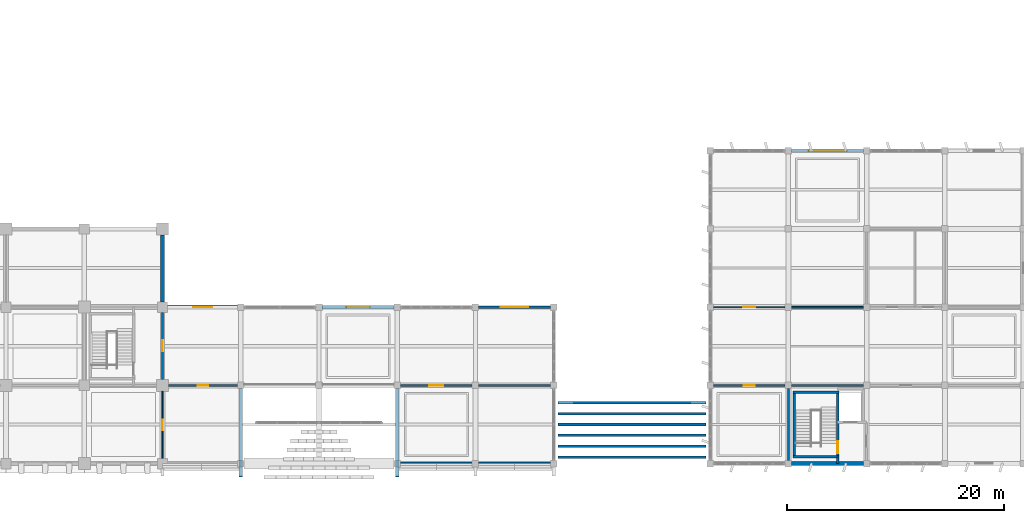
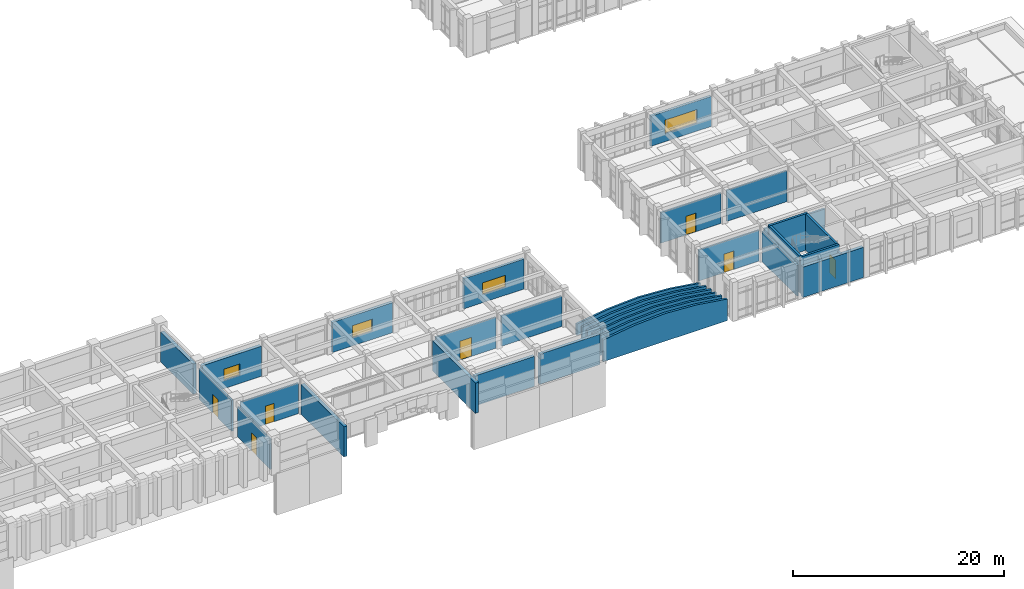
# One storey, part 62 of 81: 31 walls, 7 doors, 4 windows, 11 openings.
"""IFC4 building model written with IfcOpenShell, lengths in metres."""

from ifc_helpers import new_model, si_unit, direction, frame, frame_2d, origin, place, context, subcontext, project, spatial, polyline, rectangle, outline, extrude, material, layer, layer_set, type_object, element, fill, save


model = new_model("IFC4")

# Units and contexts
model_context = context("Model", 3, precision=1e-05, world=origin(), true_north=direction((0.0, 1.0)))
body_context = subcontext(model_context, "Body", "Model", "MODEL_VIEW")
ifc_project = project(units=[si_unit("LENGTHUNIT", "METRE"), si_unit("AREAUNIT", "SQUARE_METRE"), si_unit("VOLUMEUNIT", "CUBIC_METRE"), si_unit("PLANEANGLEUNIT", "RADIAN"), si_unit("MASSUNIT", "GRAM", prefix="KILO")], contexts=[model_context])

# Site, building, storey
site_placement = place(None, origin())
site = spatial("IfcSite", under=ifc_project, at=site_placement, CompositionType="ELEMENT")
building_placement = place(site_placement, origin())
building = spatial("IfcBuilding", under=site, at=building_placement, Name="Kavelor Marine Aquarium", CompositionType="ELEMENT")
storey_placement = place(building_placement, frame((0.0, 0.0, 4.679931640625)))
storey = spatial("IfcBuildingStorey", under=building, at=storey_placement, Name="L01", CompositionType="ELEMENT", Elevation=4.679931640625)

# Walls
ifc_material_1 = material(Name="Concrete C45/55", Category="concrete")
ifc_layer_1 = layer(ifc_material_1, 0.25)
ifc_layer_set_1 = layer_set([ifc_layer_1], Name="WL-BD1")
wall_type_1 = type_object("IfcWallType", Name="WL-BD1", PredefinedType="PARAPET", material=ifc_layer_set_1)
wall_1_placement = place(storey_placement, frame((104.39990234375, 3.39990234375, -0.300048828125), z_axis=(0.0, 0.0, 1.0), x_axis=(1.0, 0.0, 0.0)))
element("IfcWall", 1, at=wall_1_placement, inside=storey, type_object=wall_type_1, Name="portal:arch:south:1", PredefinedType="PARAPET", context=body_context, shape_type="SweptSolid", body=[
    extrude(outline(polyline([(0.0, 0.0), (13.60009765625, 0.0), (13.60009765625, 2.5), (10.199951171875, 3.0), (6.800048828125, 3.2001953125), (3.39990234375, 3.0), (0.0, 2.5), (0.0, 0.0)])), frame((0.0, 0.125, 0.0), z_axis=(0.0, -1.0, 0.0), x_axis=(1.0, 0.0, 0.0)), (0.0, 0.0, 1.0), 0.25),
])
wall_2_placement = place(storey_placement, frame((104.39990234375, 6.39990234375, -0.300048828125), z_axis=(0.0, 0.0, 1.0), x_axis=(1.0, 0.0, 0.0)))
element("IfcWall", 2, at=wall_2_placement, inside=storey, type_object=wall_type_1, Name="portal:arch:south:4", PredefinedType="PARAPET", context=body_context, shape_type="SweptSolid", body=[
    extrude(outline(polyline([(0.0, 0.0), (13.60009765625, 0.0), (13.60009765625, 1.780029296875), (10.199951171875, 2.280029296875), (6.800048828125, 2.480224609375), (3.39990234375, 2.280029296875), (0.0, 1.780029296875), (0.0, 0.0)])), frame((0.0, 0.125, 0.0), z_axis=(0.0, -1.0, 0.0), x_axis=(1.0, 0.0, 0.0)), (0.0, 0.0, 1.0), 0.25),
])
ifc_material_2 = material(Name="Concrete C45/55", Category="concrete")
ifc_layer_2 = layer(ifc_material_2, 0.22998046875)
ifc_layer_set_2 = layer_set([ifc_layer_2], Name="WL-BD2")
wall_type_2 = type_object("IfcWallType", Name="WL-BD2", PredefinedType="PARAPET", material=ifc_layer_set_2)
wall_3_placement = place(storey_placement, frame((104.39990234375, 4.39990234375, -0.300048828125), z_axis=(0.0, 0.0, 1.0), x_axis=(1.0, 0.0, 0.0)))
element("IfcWall", 3, at=wall_3_placement, inside=storey, type_object=wall_type_2, Name="portal:arch:south:2", PredefinedType="PARAPET", context=body_context, shape_type="SweptSolid", body=[
    extrude(outline(polyline([(0.0, 0.0), (13.60009765625, 0.0), (13.60009765625, 2.260009765625), (10.199951171875, 2.760009765625), (6.800048828125, 2.960205078125), (3.39990234375, 2.760009765625), (0.0, 2.260009765625), (0.0, 0.0)])), frame((0.0, 0.114990234375, 0.0), z_axis=(0.0, -1.0, 0.0), x_axis=(1.0, 0.0, 0.0)), (0.0, 0.0, 1.0), 0.22998046875),
])
wall_4_placement = place(storey_placement, frame((104.39990234375, 7.39990234375, -0.300048828125), z_axis=(0.0, 0.0, 1.0), x_axis=(1.0, 0.0, 0.0)))
element("IfcWall", 4, at=wall_4_placement, inside=storey, type_object=wall_type_2, Name="portal:arch:south:5", PredefinedType="PARAPET", context=body_context, shape_type="SweptSolid", body=[
    extrude(outline(polyline([(0.0, 0.0), (13.60009765625, 0.0), (13.60009765625, 1.5400390625), (10.199951171875, 2.0400390625), (6.800048828125, 2.240234375), (3.39990234375, 2.0400390625), (0.0, 1.5400390625), (0.0, 0.0)])), frame((0.0, 0.114990234375, 0.0), z_axis=(0.0, -1.0, 0.0), x_axis=(1.0, 0.0, 0.0)), (0.0, 0.0, 1.0), 0.22998046875),
])
ifc_material_3 = material(Name="Concrete C45/55", Category="concrete")
ifc_layer_3 = layer(ifc_material_3, 0.2099609375)
ifc_layer_set_3 = layer_set([ifc_layer_3], Name="WL-BD3")
wall_type_3 = type_object("IfcWallType", Name="WL-BD3", PredefinedType="PARAPET", material=ifc_layer_set_3)
wall_5_placement = place(storey_placement, frame((104.39990234375, 5.39990234375, -0.300048828125), z_axis=(0.0, 0.0, 1.0), x_axis=(1.0, 0.0, 0.0)))
element("IfcWall", 5, at=wall_5_placement, inside=storey, type_object=wall_type_3, Name="portal:arch:south:3", PredefinedType="PARAPET", context=body_context, shape_type="SweptSolid", body=[
    extrude(outline(polyline([(0.0, 0.0), (13.60009765625, 0.0), (13.60009765625, 2.02001953125), (10.199951171875, 2.52001953125), (6.800048828125, 2.72021484375), (3.39990234375, 2.52001953125), (0.0, 2.02001953125), (0.0, 0.0)])), frame((0.0, 0.10498046875, 0.0), z_axis=(0.0, -1.0, 0.0), x_axis=(1.0, 0.0, 0.0)), (0.0, 0.0, 1.0), 0.2099609375),
])
wall_6_placement = place(storey_placement, frame((104.39990234375, 8.39990234375, -0.300048828125), z_axis=(0.0, 0.0, 1.0), x_axis=(1.0, 0.0, 0.0)))
element("IfcWall", 6, at=wall_6_placement, inside=storey, type_object=wall_type_3, Name="portal:arch:south:6", PredefinedType="PARAPET", context=body_context, shape_type="SweptSolid", body=[
    extrude(outline(polyline([(0.0, 0.0), (13.60009765625, 0.0), (13.60009765625, 1.300048828125), (10.199951171875, 1.800048828125), (6.800048828125, 2.0), (3.39990234375, 1.800048828125), (0.0, 1.300048828125), (0.0, 0.0)])), frame((0.0, 0.10498046875, 0.0), z_axis=(0.0, -1.0, 0.0), x_axis=(1.0, 0.0, 0.0)), (0.0, 0.0, 1.0), 0.2099609375),
])

# Wall, opening, window
ifc_material_4 = material(Name="Concrete C45/55", Category="concrete")
ifc_layer_4 = layer(ifc_material_4, 0.360107421875)
ifc_layer_set_4 = layer_set([ifc_layer_4], Name="WL-EX1")
wall_type_4 = type_object("IfcWallType", Name="WL-EX1", PredefinedType="STANDARD", material=ifc_layer_set_4)
wall_7_placement = place(storey_placement, frame((68.469970703125, 17.199951171875, 0.0), z_axis=(0.0, 0.0, 1.0), x_axis=(1.0, 0.0, 0.0)))
wall_7 = element("IfcWall", 7, at=wall_7_placement, inside=storey, type_object=wall_type_4, Name="ew:x:L01:09_02", PredefinedType="STANDARD", context=body_context, shape_type="SweptSolid", body=[
    extrude(rectangle(XDim=6.43505859375, YDim=0.360107421875, at=frame_2d((3.217529296875, 0.0))), origin(), (0.0, 0.0, 1.0), 3.489990234375),
])
opening_1_placement = place(wall_7_placement, frame((2.342529296875, 0.0, 0.949951171875)))
opening_1 = element("IfcOpeningElement", 8, at=opening_1_placement, cuts=wall_7, Name="Opening W28", PredefinedType="OPENING", context=body_context, shape_type="SweptSolid", body=[
    extrude(rectangle(XDim=1.75, YDim=1.300048828125, at=frame_2d((0.875, 0.64990234375))), frame((0.0, 0.18994140625, 0.0), z_axis=(0.0, -1.0, 0.0), x_axis=(1.0, 0.0, 0.0)), (0.0, 0.0, 1.0), 0.380107),
])
ifc_material_5 = material(Name="Anodised Aluminium Frame with Low-E Double Glazing", Category="aluminium")
window_type_1 = type_object("IfcWindowType", Name="WIN-W28", PartitioningType="SINGLE_PANEL", PredefinedType="WINDOW", material=ifc_material_5)
window_1_placement = place(opening_1_placement, origin())
window_1 = element("IfcWindow", 9, at=window_1_placement, inside=storey, type_object=window_type_1, Name="win:x:L01:09_02", OverallHeight=1.300048828125, OverallWidth=1.75, PartitioningType="SINGLE_PANEL", PredefinedType="WINDOW", context=body_context, shape_type="SweptSolid", body=[
    extrude(rectangle(XDim=1.75, YDim=1.300048828125, at=frame_2d((0.875, 0.64990234375))), frame((0.0, 0.030029296875, 0.0), z_axis=(0.0, -1.0, 0.0), x_axis=(1.0, 0.0, 0.0)), (0.0, 0.0, 1.0), 0.06005859375),
])
fill(opening_1, window_1)

# Walls
wall_8_placement = place(storey_placement, frame((132.5048828125, 2.800048828125, 0.0), z_axis=(0.0, 0.0, 1.0), x_axis=(-1.0, 0.0, 0.0)))
element("IfcWall", 10, at=wall_8_placement, inside=storey, type_object=wall_type_4, Name="ew:x:L01:17_00", PredefinedType="STANDARD", context=body_context, shape_type="SweptSolid", body=[
    extrude(rectangle(XDim=6.60986328125, YDim=0.360107421875, at=frame_2d((3.304931640625, 0.0))), origin(), (0.0, 0.0, 1.0), 3.510009765625),
])
wall_9_placement = place(storey_placement, frame((68.0, 23.85498046875, 0.0), z_axis=(0.0, 0.0, 1.0), x_axis=(0.0, -1.0, 0.0)))
element("IfcWall", 11, at=wall_9_placement, inside=storey, type_object=wall_type_4, Name="ew:y:L01:09_02", PredefinedType="STANDARD", context=body_context, shape_type="SweptSolid", body=[
    extrude(rectangle(XDim=6.18505859375, YDim=0.360107421875, at=frame_2d((3.092529296875, 0.0))), origin(), (0.0, 0.0, 1.0), 3.489990234375),
])
for number, where, z_axis, x_axis, name in (
    (12, (75.199951171875, 1.56005859375, 0.0), (0.0, 0.0, 1.0), (0.0, 1.0, 0.0), "ew:portal:south:cheek:w:L01"),
    (13, (89.60009765625, 1.56005859375, 0.0), (0.0, 0.0, 1.0), (0.0, 1.0, 0.0), "ew:portal:south:cheek:e:L01"),
):
    element("IfcWall", number, at=place(storey_placement, frame(where, z_axis=z_axis, x_axis=x_axis)), inside=storey, type_object=wall_type_4, Name=name, PredefinedType="STANDARD", context=body_context, shape_type="SweptSolid", body=[
        extrude(rectangle(XDim=8.14501953125, YDim=0.360107421875, at=frame_2d((4.072509765625, 0.0))), origin(), (0.0, 0.0, 1.0), 3.489990234375),
    ])
ifc_material_6 = material(Name="Concrete C45/55", Category="concrete")
ifc_layer_5 = layer(ifc_material_6, 0.320068359375)
ifc_layer_set_5 = layer_set([ifc_layer_5], Name="WL-EX2")
wall_type_5 = type_object("IfcWallType", Name="WL-EX2", PredefinedType="STANDARD", material=ifc_layer_set_5)
wall_10_placement = place(storey_placement, frame((96.5048828125, 2.800048828125, 0.0), z_axis=(0.0, 0.0, 1.0), x_axis=(-1.0, 0.0, 0.0)))
element("IfcWall", 14, at=wall_10_placement, inside=storey, type_object=wall_type_5, Name="ew:x:L01:12_00", PredefinedType="STANDARD", context=body_context, shape_type="SweptSolid", body=[
    extrude(rectangle(XDim=6.60986328125, YDim=0.320068359375, at=frame_2d((3.304931640625, 0.0))), origin(), (0.0, 0.0, 1.0), 3.489990234375),
])

# Wall, opening, window
ifc_material_7 = material(Name="Concrete C40/50", Category="concrete")
ifc_layer_6 = layer(ifc_material_7, 0.300048828125)
ifc_layer_set_6 = layer_set([ifc_layer_6], Name="WL-EX3")
wall_type_6 = type_object("IfcWallType", Name="WL-EX3", PredefinedType="STANDARD", material=ifc_layer_set_6)
wall_11_placement = place(storey_placement, frame((82.695068359375, 17.199951171875, 0.0), z_axis=(0.0, 0.0, 1.0), x_axis=(1.0, 0.0, 0.0)))
wall_11 = element("IfcWall", 15, at=wall_11_placement, inside=storey, type_object=wall_type_6, Name="ew:x:L01:11_02", PredefinedType="STANDARD", context=body_context, shape_type="SweptSolid", body=[
    extrude(rectangle(XDim=6.60986328125, YDim=0.300048828125, at=frame_2d((3.304931640625, 0.0))), origin(), (0.0, 0.0, 1.0), 3.489990234375),
])
opening_2_placement = place(wall_11_placement, frame((2.22998046875, 0.0, 0.949951171875)))
opening_2 = element("IfcOpeningElement", 16, at=opening_2_placement, cuts=wall_11, Name="Opening W30", PredefinedType="OPENING", context=body_context, shape_type="SweptSolid", body=[
    extrude(rectangle(XDim=2.14990234375, YDim=1.39990234375, at=frame_2d((1.074951171875, 0.699951171875))), frame((0.0, 0.159912109375, 0.0), z_axis=(0.0, -1.0, 0.0), x_axis=(1.0, 0.0, 0.0)), (0.0, 0.0, 1.0), 0.320049),
])
ifc_material_8 = material(Name="Anodised Aluminium Frame with Low-E Double Glazing", Category="aluminium")
window_type_2 = type_object("IfcWindowType", Name="WIN-W30", PartitioningType="DOUBLE_PANEL_VERTICAL", PredefinedType="WINDOW", material=ifc_material_8)
window_2_placement = place(opening_2_placement, origin())
window_2 = element("IfcWindow", 17, at=window_2_placement, inside=storey, type_object=window_type_2, Name="win:x:L01:11_02", OverallHeight=1.39990234375, OverallWidth=2.14990234375, PartitioningType="SINGLE_PANEL", PredefinedType="WINDOW", context=body_context, shape_type="SweptSolid", body=[
    extrude(rectangle(XDim=2.14990234375, YDim=1.39990234375, at=frame_2d((1.074951171875, 0.699951171875))), frame((0.0, 0.030029296875, 0.0), z_axis=(0.0, -1.0, 0.0), x_axis=(1.0, 0.0, 0.0)), (0.0, 0.0, 1.0), 0.06005859375),
])
fill(opening_2, window_2)

# Wall
wall_12_placement = place(storey_placement, frame((103.705078125, 2.800048828125, 0.0), z_axis=(0.0, 0.0, 1.0), x_axis=(-1.0, 0.0, 0.0)))
element("IfcWall", 18, at=wall_12_placement, inside=storey, type_object=wall_type_6, Name="ew:x:L01:13_00", PredefinedType="STANDARD", context=body_context, shape_type="SweptSolid", body=[
    extrude(rectangle(XDim=6.610107421875, YDim=0.300048828125, at=frame_2d((3.30517578125, 0.0))), origin(), (0.0, 0.0, 1.0), 3.510009765625),
])

# Wall, opening, window
ifc_material_9 = material(Name="Concrete C40/50", Category="concrete")
ifc_layer_7 = layer(ifc_material_9, 0.260009765625)
ifc_layer_set_7 = layer_set([ifc_layer_7], Name="WL-EX5")
wall_type_7 = type_object("IfcWallType", Name="WL-EX5", PredefinedType="STANDARD", material=ifc_layer_set_7)
wall_13_placement = place(storey_placement, frame((97.094970703125, 17.199951171875, 0.0), z_axis=(0.0, 0.0, 1.0), x_axis=(1.0, 0.0, 0.0)))
wall_13 = element("IfcWall", 19, at=wall_13_placement, inside=storey, type_object=wall_type_7, Name="ew:x:L01:13_02", PredefinedType="STANDARD", context=body_context, shape_type="SweptSolid", body=[
    extrude(rectangle(XDim=6.610107421875, YDim=0.260009765625, at=frame_2d((3.30517578125, 0.0))), origin(), (0.0, 0.0, 1.0), 3.489990234375),
])
opening_3_placement = place(wall_13_placement, frame((2.030029296875, 0.0, 0.949951171875)))
opening_3 = element("IfcOpeningElement", 20, at=opening_3_placement, cuts=wall_13, Name="Opening W32", PredefinedType="OPENING", context=body_context, shape_type="SweptSolid", body=[
    extrude(rectangle(XDim=2.550048828125, YDim=1.35009765625, at=frame_2d((1.27490234375, 0.675048828125))), frame((0.0, 0.139892578125, 0.0), z_axis=(0.0, -1.0, 0.0), x_axis=(1.0, 0.0, 0.0)), (0.0, 0.0, 1.0), 0.28001),
])
ifc_material_10 = material(Name="Anodised Aluminium Frame with Low-E Double Glazing", Category="aluminium")
window_type_3 = type_object("IfcWindowType", Name="WIN-W32", PartitioningType="DOUBLE_PANEL_VERTICAL", PredefinedType="WINDOW", material=ifc_material_10)
window_3_placement = place(opening_3_placement, origin())
window_3 = element("IfcWindow", 21, at=window_3_placement, inside=storey, type_object=window_type_3, Name="win:x:L01:13_02", OverallHeight=1.35009765625, OverallWidth=2.550048828125, PartitioningType="SINGLE_PANEL", PredefinedType="WINDOW", context=body_context, shape_type="SweptSolid", body=[
    extrude(rectangle(XDim=2.550048828125, YDim=1.35009765625, at=frame_2d((1.27490234375, 0.675048828125))), frame((0.0, 0.030029296875, 0.0), z_axis=(0.0, -1.0, 0.0), x_axis=(1.0, 0.0, 0.0)), (0.0, 0.0, 1.0), 0.06005859375),
])
fill(opening_3, window_3)

wall_14_placement = place(storey_placement, frame((125.89501953125, 31.60009765625, 0.0), z_axis=(0.0, 0.0, 1.0), x_axis=(1.0, 0.0, 0.0)))
wall_14 = element("IfcWall", 22, at=wall_14_placement, inside=storey, type_object=wall_type_7, Name="ew:x:L01:17_04", PredefinedType="STANDARD", context=body_context, shape_type="SweptSolid", body=[
    extrude(rectangle(XDim=6.60986328125, YDim=0.260009765625, at=frame_2d((3.304931640625, 0.0))), origin(), (0.0, 0.0, 1.0), 3.489990234375),
])
opening_4_placement = place(wall_14_placement, frame((1.554931640625, 0.0, 0.949951171875)))
opening_4 = element("IfcOpeningElement", 23, at=opening_4_placement, cuts=wall_14, Name="Opening W36", PredefinedType="OPENING", context=body_context, shape_type="SweptSolid", body=[
    extrude(rectangle(XDim=3.5, YDim=1.550048828125, at=frame_2d((1.75, 0.77490234375))), frame((0.0, 0.139892578125, 0.0), z_axis=(0.0, -1.0, 0.0), x_axis=(1.0, 0.0, 0.0)), (0.0, 0.0, 1.0), 0.28001),
])
ifc_material_11 = material(Name="Anodised Aluminium Frame with Low-E Double Glazing", Category="aluminium")
window_type_4 = type_object("IfcWindowType", Name="WIN-W36", PartitioningType="DOUBLE_PANEL_VERTICAL", PredefinedType="WINDOW", material=ifc_material_11)
window_4_placement = place(opening_4_placement, origin())
window_4 = element("IfcWindow", 24, at=window_4_placement, inside=storey, type_object=window_type_4, Name="win:x:L01:17_04", OverallHeight=1.550048828125, OverallWidth=3.5, PartitioningType="SINGLE_PANEL", PredefinedType="WINDOW", context=body_context, shape_type="SweptSolid", body=[
    extrude(rectangle(XDim=3.5, YDim=1.550048828125, at=frame_2d((1.75, 0.77490234375))), frame((0.0, 0.030029296875, 0.0), z_axis=(0.0, -1.0, 0.0), x_axis=(1.0, 0.0, 0.0)), (0.0, 0.0, 1.0), 0.06005859375),
])
fill(opening_4, window_4)

# Wall, opening, door
ifc_material_12 = material(Name="Concrete Blockwork Partition", Category="masonry")
ifc_layer_8 = layer(ifc_material_12, 0.199951171875)
ifc_layer_set_8 = layer_set([ifc_layer_8], Name="WL-PT1")
wall_type_8 = type_object("IfcWallType", Name="WL-PT1", PredefinedType="PARTITIONING", material=ifc_layer_set_8)
wall_15_placement = place(storey_placement, frame((68.0, 10.550048828125, 0.0), z_axis=(0.0, 0.0, 1.0), x_axis=(0.0, 1.0, 0.0)))
wall_15 = element("IfcWall", 25, at=wall_15_placement, inside=storey, type_object=wall_type_8, Name="pt:lob:C12:L01:e", PredefinedType="PARTITIONING", context=body_context, shape_type="SweptSolid", body=[
    extrude(rectangle(XDim=6.175048828125, YDim=0.199951171875, at=frame_2d((3.08740234375, 0.0))), origin(), (0.0, 0.0, 1.0), 3.590087890625),
])
opening_5_placement = place(wall_15_placement, frame((2.577392578125, 0.0, 0.0)))
opening_5 = element("IfcOpeningElement", 26, at=opening_5_placement, cuts=wall_15, Name="Opening SD1", PredefinedType="OPENING", context=body_context, shape_type="SweptSolid", body=[
    extrude(rectangle(XDim=1.02001953125, YDim=2.14990234375, at=frame_2d((0.510009765625, 1.074951171875))), frame((0.0, 0.10986328125, 0.0), z_axis=(0.0, -1.0, 0.0), x_axis=(1.0, 0.0, 0.0)), (0.0, 0.0, 1.0), 0.219951),
])
ifc_material_13 = material(Name="Fire-Rated Corridor Compartment Door")
door_type_1 = type_object("IfcDoorType", Name="DR-SD1", OperationType="NOTDEFINED", PredefinedType="DOOR", material=ifc_material_13)
door_1_placement = place(opening_5_placement, origin())
door_1 = element("IfcDoor", 27, at=door_1_placement, inside=storey, type_object=door_type_1, Name="Core Lobby Fire Door C12-L01", OperationType="SINGLE_SWING_RIGHT", OverallHeight=2.14990234375, OverallWidth=1.02001953125, PredefinedType="DOOR", context=body_context, shape_type="SweptSolid", body=[
    extrude(rectangle(XDim=1.02001953125, YDim=2.14990234375, at=frame_2d((0.510009765625, 1.074951171875))), frame((0.0, 0.02490234375, 0.0), z_axis=(0.0, -1.0, 0.0), x_axis=(1.0, 0.0, 0.0)), (0.0, 0.0, 1.0), 0.050048828125),
])
fill(opening_5, door_1)

# Walls
wall_16_placement = place(storey_placement, frame((130.139892578125, 2.800048828125, 0.0), z_axis=(0.0, 0.0, 1.0), x_axis=(0.0, 1.0, 0.0)))
element("IfcWall", 28, at=wall_16_placement, inside=storey, type_object=wall_type_8, Name="pt:st_close:s:C08:L01", PredefinedType="PARTITIONING", context=body_context, shape_type="SweptSolid", body=[
    extrude(rectangle(XDim=0.619873046875, YDim=0.199951171875, at=frame_2d((0.31005859375, 0.0))), origin(), (0.0, 0.0, 1.0), 3.510009765625),
])
wall_17_placement = place(storey_placement, frame((125.60009765625, 3.10009765625, 0.0), z_axis=(0.0, 0.0, 1.0), x_axis=(0.0, 1.0, 0.0)))
element("IfcWall", 29, at=wall_17_placement, inside=storey, type_object=wall_type_8, Name="pt:lob:C08:L01:w", PredefinedType="PARTITIONING", context=body_context, shape_type="SweptSolid", body=[
    extrude(rectangle(XDim=6.599853515625, YDim=0.199951171875, at=frame_2d((3.2998046875, 0.0))), origin(), (0.0, 0.0, 1.0), 3.5400390625),
])
wall_18_placement = place(storey_placement, frame((125.89990234375, 10.0, 0.0), z_axis=(0.0, 0.0, 1.0), x_axis=(1.0, 0.0, 0.0)))
element("IfcWall", 30, at=wall_18_placement, inside=storey, type_object=wall_type_8, Name="pt:lob:C08:L01:n_full", PredefinedType="PARTITIONING", context=body_context, shape_type="SweptSolid", body=[
    extrude(rectangle(XDim=6.60009765625, YDim=0.199951171875, at=frame_2d((3.300048828125, 0.0))), origin(), (0.0, 0.0, 1.0), 3.5400390625),
])

# Wall, opening, door
ifc_material_14 = material(Name="Acoustic Gypsum Stud Partition")
ifc_layer_9 = layer(ifc_material_14, 0.159912109375)
ifc_layer_set_9 = layer_set([ifc_layer_9], Name="WL-PT2")
wall_type_9 = type_object("IfcWallType", Name="WL-PT2", PredefinedType="PARTITIONING", material=ifc_layer_set_9)
wall_19_placement = place(storey_placement, frame((68.550048828125, 10.0, 0.0), z_axis=(0.0, 0.0, 1.0), x_axis=(1.0, 0.0, 0.0)))
wall_19 = element("IfcWall", 31, at=wall_19_placement, inside=storey, type_object=wall_type_9, Name="pt:x:L01:09_00", PredefinedType="PARTITIONING", context=body_context, shape_type="SweptSolid", body=[
    extrude(rectangle(XDim=6.349853515625, YDim=0.159912109375, at=frame_2d((3.1748046875, 0.0))), origin(), (0.0, 0.0, 1.0), 3.5400390625),
])
opening_6_placement = place(wall_19_placement, frame((2.68505859375, 0.0, 0.0)))
opening_6 = element("IfcOpeningElement", 32, at=opening_6_placement, cuts=wall_19, Name="Opening D07", PredefinedType="OPENING", context=body_context, shape_type="SweptSolid", body=[
    extrude(rectangle(XDim=0.97998046875, YDim=2.1201171875, at=frame_2d((0.489990234375, 1.06005859375))), frame((0.0, 0.08984375, 0.0), z_axis=(0.0, -1.0, 0.0), x_axis=(1.0, 0.0, 0.0)), (0.0, 0.0, 1.0), 0.179912),
])
ifc_material_15 = material(Name="Research Write-Up Timber Door", Category="wood")
door_type_2 = type_object("IfcDoorType", Name="DR-D07", OperationType="NOTDEFINED", PredefinedType="DOOR", material=ifc_material_15)
door_2_placement = place(opening_6_placement, origin())
door_2 = element("IfcDoor", 33, at=door_2_placement, inside=storey, type_object=door_type_2, Name="dr:rm:pt:x:L01:09_00:0", OperationType="SINGLE_SWING_RIGHT", OverallHeight=2.1201171875, OverallWidth=0.97998046875, PredefinedType="DOOR", context=body_context, shape_type="SweptSolid", body=[
    extrude(rectangle(XDim=0.97998046875, YDim=2.1201171875, at=frame_2d((0.489990234375, 1.06005859375))), frame((0.0, 0.02490234375, 0.0), z_axis=(0.0, -1.0, 0.0), x_axis=(1.0, 0.0, 0.0)), (0.0, 0.0, 1.0), 0.050048828125),
])
fill(opening_6, door_2)

wall_20_placement = place(storey_placement, frame((89.89990234375, 10.0, 0.0), z_axis=(0.0, 0.0, 1.0), x_axis=(1.0, 0.0, 0.0)))
wall_20 = element("IfcWall", 34, at=wall_20_placement, inside=storey, type_object=wall_type_9, Name="pt:x:L01:12_00", PredefinedType="PARTITIONING", context=body_context, shape_type="SweptSolid", body=[
    extrude(rectangle(XDim=6.60009765625, YDim=0.159912109375, at=frame_2d((3.300048828125, 0.0))), origin(), (0.0, 0.0, 1.0), 3.590087890625),
])
opening_7_placement = place(wall_20_placement, frame((2.659912109375, 0.0, 0.0)))
opening_7 = element("IfcOpeningElement", 35, at=opening_7_placement, cuts=wall_20, Name="Opening D10", PredefinedType="OPENING", context=body_context, shape_type="SweptSolid", body=[
    extrude(rectangle(XDim=1.280029296875, YDim=2.199951171875, at=frame_2d((0.64013671875, 1.10009765625))), frame((0.0, 0.08984375, 0.0), z_axis=(0.0, -1.0, 0.0), x_axis=(1.0, 0.0, 0.0)), (0.0, 0.0, 1.0), 0.179912),
])
ifc_material_16 = material(Name="Equipment Store Wide Leaf Door")
door_type_3 = type_object("IfcDoorType", Name="DR-D10", OperationType="NOTDEFINED", PredefinedType="DOOR", material=ifc_material_16)
door_3_placement = place(opening_7_placement, origin())
door_3 = element("IfcDoor", 36, at=door_3_placement, inside=storey, type_object=door_type_3, Name="dr:rm:pt:x:L01:12_00:0", OperationType="SINGLE_SWING_LEFT", OverallHeight=2.199951171875, OverallWidth=1.280029296875, PredefinedType="DOOR", context=body_context, shape_type="SweptSolid", body=[
    extrude(rectangle(XDim=1.280029296875, YDim=2.199951171875, at=frame_2d((0.64013671875, 1.10009765625))), frame((0.0, 0.02490234375, 0.0), z_axis=(0.0, -1.0, 0.0), x_axis=(1.0, 0.0, 0.0)), (0.0, 0.0, 1.0), 0.050048828125),
])
fill(opening_7, door_3)

# Wall
wall_21_placement = place(storey_placement, frame((97.10009765625, 10.0, 0.0), z_axis=(0.0, 0.0, 1.0), x_axis=(1.0, 0.0, 0.0)))
element("IfcWall", 37, at=wall_21_placement, inside=storey, type_object=wall_type_9, Name="pt:x:L01:13_00", PredefinedType="PARTITIONING", context=body_context, shape_type="SweptSolid", body=[
    extrude(rectangle(XDim=6.599853515625, YDim=0.159912109375, at=frame_2d((3.2998046875, 0.0))), origin(), (0.0, 0.0, 1.0), 3.5400390625),
])

# Wall, opening, door
wall_22_placement = place(storey_placement, frame((118.699951171875, 10.0, 0.0), z_axis=(0.0, 0.0, 1.0), x_axis=(1.0, 0.0, 0.0)))
wall_22 = element("IfcWall", 38, at=wall_22_placement, inside=storey, type_object=wall_type_9, Name="pt:x:L01:16_00", PredefinedType="PARTITIONING", context=body_context, shape_type="SweptSolid", body=[
    extrude(rectangle(XDim=6.60009765625, YDim=0.159912109375, at=frame_2d((3.300048828125, 0.0))), origin(), (0.0, 0.0, 1.0), 3.590087890625),
])
opening_8_placement = place(wall_22_placement, frame((2.77490234375, 0.0, 0.0)))
opening_8 = element("IfcOpeningElement", 39, at=opening_8_placement, cuts=wall_22, Name="Opening D05", PredefinedType="OPENING", context=body_context, shape_type="SweptSolid", body=[
    extrude(rectangle(XDim=1.050048828125, YDim=2.139892578125, at=frame_2d((0.52490234375, 1.06982421875))), frame((0.0, 0.08984375, 0.0), z_axis=(0.0, -1.0, 0.0), x_axis=(1.0, 0.0, 0.0)), (0.0, 0.0, 1.0), 0.179912),
])
ifc_material_17 = material(Name="Classroom Vision-Panel Timber Door", Category="wood")
door_type_4 = type_object("IfcDoorType", Name="DR-D05", OperationType="NOTDEFINED", PredefinedType="DOOR", material=ifc_material_17)
door_4_placement = place(opening_8_placement, origin())
door_4 = element("IfcDoor", 40, at=door_4_placement, inside=storey, type_object=door_type_4, Name="dr:rm:pt:x:L01:16_00:0", OperationType="SINGLE_SWING_RIGHT", OverallHeight=2.139892578125, OverallWidth=1.050048828125, PredefinedType="DOOR", context=body_context, shape_type="SweptSolid", body=[
    extrude(rectangle(XDim=1.050048828125, YDim=2.139892578125, at=frame_2d((0.52490234375, 1.06982421875))), frame((0.0, 0.02490234375, 0.0), z_axis=(0.0, -1.0, 0.0), x_axis=(1.0, 0.0, 0.0)), (0.0, 0.0, 1.0), 0.050048828125),
])
fill(opening_8, door_4)

wall_23_placement = place(storey_placement, frame((118.699951171875, 17.199951171875, 0.0), z_axis=(0.0, 0.0, 1.0), x_axis=(1.0, 0.0, 0.0)))
wall_23 = element("IfcWall", 41, at=wall_23_placement, inside=storey, type_object=wall_type_9, Name="pt:x:L01:16_01", PredefinedType="PARTITIONING", context=body_context, shape_type="SweptSolid", body=[
    extrude(rectangle(XDim=6.60009765625, YDim=0.159912109375, at=frame_2d((3.300048828125, 0.0))), origin(), (0.0, 0.0, 1.0), 3.5400390625),
])
opening_9_placement = place(wall_23_placement, frame((2.760009765625, 0.0, 0.0)))
opening_9 = element("IfcOpeningElement", 42, at=opening_9_placement, cuts=wall_23, Name="Opening D08", PredefinedType="OPENING", context=body_context, shape_type="SweptSolid", body=[
    extrude(rectangle(XDim=1.080078125, YDim=2.159912109375, at=frame_2d((0.5400390625, 1.080078125))), frame((0.0, 0.08984375, 0.0), z_axis=(0.0, -1.0, 0.0), x_axis=(1.0, 0.0, 0.0)), (0.0, 0.0, 1.0), 0.179912),
])
ifc_material_18 = material(Name="Discovery Wet Lab Vision Door")
door_type_5 = type_object("IfcDoorType", Name="DR-D08", OperationType="NOTDEFINED", PredefinedType="DOOR", material=ifc_material_18)
door_5_placement = place(opening_9_placement, origin())
door_5 = element("IfcDoor", 43, at=door_5_placement, inside=storey, type_object=door_type_5, Name="dr:rm:pt:x:L01:16_01:0", OperationType="SINGLE_SWING_LEFT", OverallHeight=2.159912109375, OverallWidth=1.080078125, PredefinedType="DOOR", context=body_context, shape_type="SweptSolid", body=[
    extrude(rectangle(XDim=1.080078125, YDim=2.159912109375, at=frame_2d((0.5400390625, 1.080078125))), frame((0.0, 0.02490234375, 0.0), z_axis=(0.0, -1.0, 0.0), x_axis=(1.0, 0.0, 0.0)), (0.0, 0.0, 1.0), 0.050048828125),
])
fill(opening_9, door_5)

# Wall
wall_24_placement = place(storey_placement, frame((125.89990234375, 17.199951171875, 0.0), z_axis=(0.0, 0.0, 1.0), x_axis=(1.0, 0.0, 0.0)))
element("IfcWall", 44, at=wall_24_placement, inside=storey, type_object=wall_type_9, Name="pt:x:L01:17_01", PredefinedType="PARTITIONING", context=body_context, shape_type="SweptSolid", body=[
    extrude(rectangle(XDim=6.60009765625, YDim=0.159912109375, at=frame_2d((3.300048828125, 0.0))), origin(), (0.0, 0.0, 1.0), 3.590087890625),
])

# Wall, opening, door
ifc_material_19 = material(Name="Lightweight Drywall Partition")
ifc_layer_10 = layer(ifc_material_19, 0.1201171875)
ifc_layer_set_10 = layer_set([ifc_layer_10], Name="WL-PT4")
wall_type_10 = type_object("IfcWallType", Name="WL-PT4", PredefinedType="PARTITIONING", material=ifc_layer_set_10)
wall_25_placement = place(storey_placement, frame((68.0, 3.27490234375, 0.0), z_axis=(0.0, 0.0, 1.0), x_axis=(0.0, 1.0, 0.0)))
wall_25 = element("IfcWall", 45, at=wall_25_placement, inside=storey, type_object=wall_type_10, Name="pt:y:L01:08_00", PredefinedType="PARTITIONING", context=body_context, shape_type="SweptSolid", body=[
    extrude(rectangle(XDim=6.175048828125, YDim=0.1201171875, at=frame_2d((3.08740234375, 0.0))), origin(), (0.0, 0.0, 1.0), 3.5400390625),
])
opening_10_placement = place(wall_25_placement, frame((2.607421875, 0.0, 0.0)))
opening_10 = element("IfcOpeningElement", 46, at=opening_10_placement, cuts=wall_25, Name="Opening D01", PredefinedType="OPENING", context=body_context, shape_type="SweptSolid", body=[
    extrude(rectangle(XDim=0.9599609375, YDim=2.10009765625, at=frame_2d((0.47998046875, 1.050048828125))), frame((0.0, 0.070068359375, 0.0), z_axis=(0.0, -1.0, 0.0), x_axis=(1.0, 0.0, 0.0)), (0.0, 0.0, 1.0), 0.140117),
])
ifc_material_20 = material(Name="Solid-Core Acoustic Timber Laboratory Door", Category="wood")
door_type_6 = type_object("IfcDoorType", Name="DR-D01", OperationType="NOTDEFINED", PredefinedType="DOOR", material=ifc_material_20)
door_6_placement = place(opening_10_placement, origin())
door_6 = element("IfcDoor", 47, at=door_6_placement, inside=storey, type_object=door_type_6, Name="dr:rm:pt:y:L01:08_00:0", OperationType="SINGLE_SWING_RIGHT", OverallHeight=2.10009765625, OverallWidth=0.9599609375, PredefinedType="DOOR", context=body_context, shape_type="SweptSolid", body=[
    extrude(rectangle(XDim=0.9599609375, YDim=2.10009765625, at=frame_2d((0.47998046875, 1.050048828125))), frame((0.0, 0.02490234375, 0.0), z_axis=(0.0, -1.0, 0.0), x_axis=(1.0, 0.0, 0.0)), (0.0, 0.0, 1.0), 0.050048828125),
])
fill(opening_10, door_6)

# Walls
ifc_material_21 = material(Name="Concrete C40/50", Category="concrete")
ifc_layer_11 = layer(ifc_material_21, 0.35009765625)
ifc_layer_set_11 = layer_set([ifc_layer_11], Name="WL-SW2")
wall_type_11 = type_object("IfcWallType", Name="WL-SW2", PredefinedType="SHEAR", material=ifc_layer_set_11)
for number, where, z_axis, x_axis, name in (
    (48, (126.02001953125, 3.419921875, 0.0), (0.0, 0.0, 1.0), (1.0, 0.0, 0.0), "cw_st:s:C08:L01"),
    (49, (126.02001953125, 9.3798828125, 0.0), (0.0, 0.0, 1.0), (1.0, 0.0, 0.0), "cw_st:n:C08:L01"),
):
    element("IfcWall", number, at=place(storey_placement, frame(where, z_axis=z_axis, x_axis=x_axis)), inside=storey, type_object=wall_type_11, Name=name, PredefinedType="SHEAR", context=body_context, shape_type="SweptSolid", body=[
        extrude(rectangle(XDim=4.239990234375, YDim=0.239990234375, at=frame_2d((2.1201171875, 0.0))), origin(), (0.0, 0.0, 1.0), 4.219970703125),
    ])
wall_26_placement = place(storey_placement, frame((126.139892578125, 3.5400390625, 0.0), z_axis=(0.0, 0.0, 1.0), x_axis=(0.0, 1.0, 0.0)))
element("IfcWall", 50, at=wall_26_placement, inside=storey, type_object=wall_type_11, Name="cw_st:w:C08:L01", PredefinedType="SHEAR", context=body_context, shape_type="SweptSolid", body=[
    extrude(rectangle(XDim=5.719970703125, YDim=0.239990234375, at=frame_2d((2.85986328125, 0.0))), origin(), (0.0, 0.0, 1.0), 4.219970703125),
])

# Wall, opening, door
wall_27_placement = place(storey_placement, frame((130.139892578125, 3.5400390625, 0.0), z_axis=(0.0, 0.0, 1.0), x_axis=(0.0, 1.0, 0.0)))
wall_27 = element("IfcWall", 51, at=wall_27_placement, inside=storey, type_object=wall_type_11, Name="cw_st:e:C08:L01", PredefinedType="SHEAR", context=body_context, shape_type="SweptSolid", body=[
    extrude(rectangle(XDim=5.719970703125, YDim=0.239990234375, at=frame_2d((2.85986328125, 0.0))), origin(), (0.0, 0.0, 1.0), 4.219970703125),
])
opening_11_placement = place(wall_27_placement, frame((0.219970703125, 0.0, 0.0)))
opening_11 = element("IfcOpeningElement", 52, at=opening_11_placement, cuts=wall_27, Name="Opening FD1", PredefinedType="OPENING", context=body_context, shape_type="SweptSolid", body=[
    extrude(rectangle(XDim=1.1201171875, YDim=2.14990234375, at=frame_2d((0.56005859375, 1.074951171875))), frame((0.0, 0.1298828125, 0.0), z_axis=(0.0, -1.0, 0.0), x_axis=(1.0, 0.0, 0.0)), (0.0, 0.0, 1.0), 0.25999),
])
ifc_material_22 = material(Name="Fire-Rated Steel Stair and Core Door", Category="steel")
door_type_7 = type_object("IfcDoorType", Name="DR-FD1", OperationType="NOTDEFINED", PredefinedType="DOOR", material=ifc_material_22)
door_7_placement = place(opening_11_placement, origin())
door_7 = element("IfcDoor", 53, at=door_7_placement, inside=storey, type_object=door_type_7, Name="Stair Fire Door ST08-L01", OperationType="SINGLE_SWING_LEFT", OverallHeight=2.14990234375, OverallWidth=1.1201171875, PredefinedType="DOOR", context=body_context, shape_type="SweptSolid", body=[
    extrude(rectangle(XDim=1.1201171875, YDim=2.14990234375, at=frame_2d((0.56005859375, 1.074951171875))), frame((0.0, 0.02490234375, 0.0), z_axis=(0.0, -1.0, 0.0), x_axis=(1.0, 0.0, 0.0)), (0.0, 0.0, 1.0), 0.050048828125),
])
fill(opening_11, door_7)

save(model, "model.ifc")
